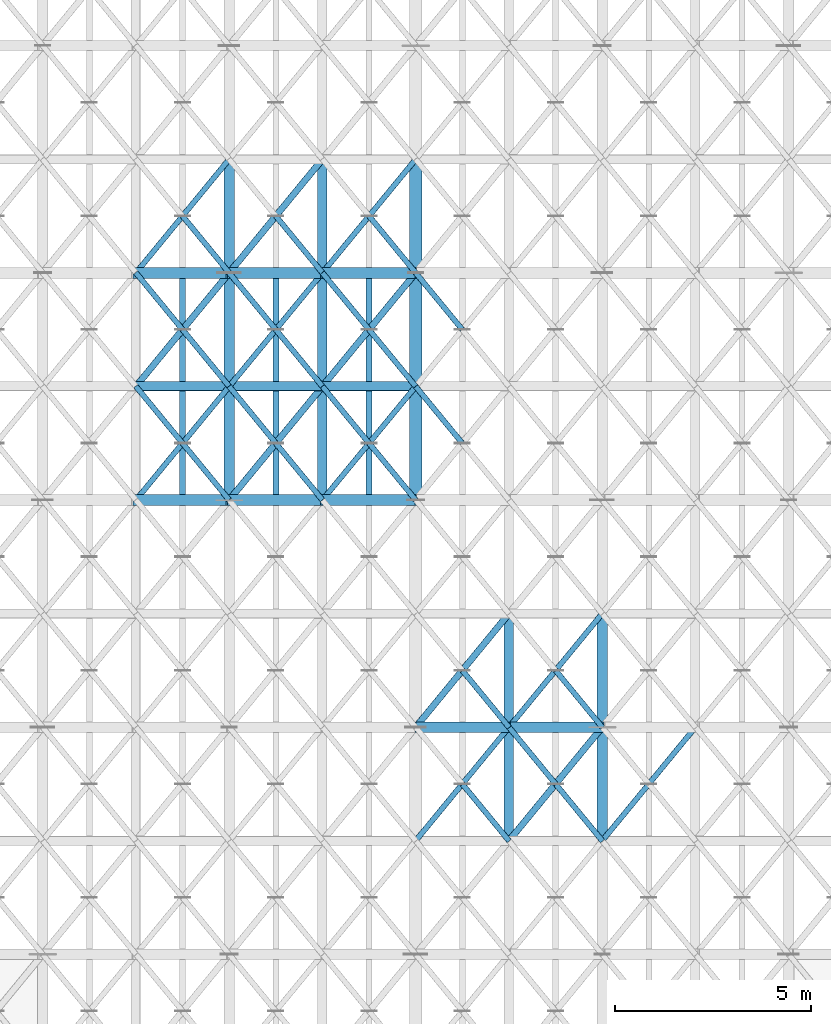
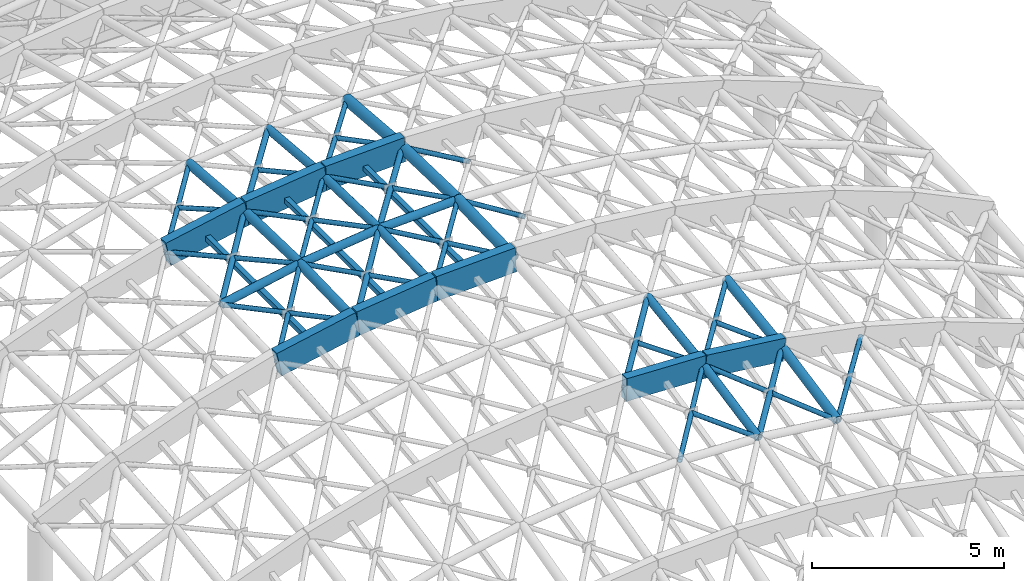
# One storey, part 40 of 146: 55 members, 8 beams.
"""IFC4 building model written with IfcOpenShell, lengths in metres."""

from ifc_helpers import new_model, si_unit, direction, frame, origin, origin_2d, place, context, subcontext, project, spatial, rectangle, hollow_rectangle, hollow_circle, extrude, material, material_profile, profile_set, type_object, element, save


model = new_model("IFC4")

# Units and contexts
model_context = context("Model", 3, precision=1e-05, world=origin(), true_north=direction((0.0, 1.0)))
body_context = subcontext(model_context, "Body", "Model", "MODEL_VIEW")
ifc_project = project(units=[si_unit("LENGTHUNIT", "METRE"), si_unit("AREAUNIT", "SQUARE_METRE"), si_unit("VOLUMEUNIT", "CUBIC_METRE"), si_unit("PLANEANGLEUNIT", "RADIAN"), si_unit("MASSUNIT", "GRAM", prefix="KILO")], contexts=[model_context])

# Site, building, storey
site_placement = place(None, origin())
site = spatial("IfcSite", under=ifc_project, at=site_placement, CompositionType="ELEMENT")
building_placement = place(site_placement, origin())
building = spatial("IfcBuilding", under=site, at=building_placement, Name="Valcora Specialist Clinic", CompositionType="ELEMENT")
storey_placement = place(building_placement, frame((0.0, 0.0, 9.52001953125)))
storey = spatial("IfcBuildingStorey", under=building, at=storey_placement, Name="L02", CompositionType="ELEMENT", Elevation=9.52001953125)

# Beams
ifc_material_1 = material(Name="Glulam Conifer Class 24F", Category="wood")
ifc_material_profile_1 = material_profile(ifc_material_1, rectangle(XDim=0.260009765625, YDim=0.719970703125, at=origin_2d()), Name="GL-ARC-260X720")
ifc_profile_set_1 = profile_set([ifc_material_profile_1], Name="Glulam Conifer Class 24F")
beam_type_1 = type_object("IfcBeamType", Name="TY-AR-GL720", PredefinedType="JOIST", material=ifc_profile_set_1)
beam_1_placement = place(storey_placement, frame((15.0, 50.321044921875, 7.670654296875), z_axis=(0.999229898969, 0.0, -0.039237851707), x_axis=(0.0, 1.0, 0.0)))
element("IfcBeam", 1, at=beam_1_placement, inside=storey, type_object=beam_type_1, Name="Gridshell glulam arch chord BM-GSA-031", PredefinedType="JOIST", context=body_context, shape_type="SweptSolid", body=[
    extrude(rectangle(XDim=0.260009765625, YDim=0.719970703125, at=origin_2d()), origin(), (0.0, 0.0, 1.0), 2.376708984375),
])
beam_2_placement = place(storey_placement, frame((17.375, 50.321044921875, 7.577392578125), z_axis=(0.993061123194, 0.0, -0.117599343536), x_axis=(0.0, 1.0, 0.0)))
element("IfcBeam", 2, at=beam_2_placement, inside=storey, type_object=beam_type_1, Name="Gridshell glulam arch chord BM-GSA-032", PredefinedType="JOIST", context=body_context, shape_type="SweptSolid", body=[
    extrude(rectangle(XDim=0.260009765625, YDim=0.719970703125, at=origin_2d()), origin(), (0.0, 0.0, 1.0), 2.3916015625),
])
ifc_material_profile_2 = material_profile(ifc_material_1, rectangle(XDim=0.280029296875, YDim=0.780029296875, at=origin_2d()), Name="GL-ARC-280X780")
ifc_profile_set_2 = profile_set([ifc_material_profile_2], Name="Glulam Conifer Class 24F")
beam_type_2 = type_object("IfcBeamType", Name="TY-AR-GL780", PredefinedType="JOIST", material=ifc_profile_set_2)
beam_3_placement = place(storey_placement, frame((7.875, 56.10693359375, 7.47021484375), z_axis=(0.980592304853, 0.0, 0.19605798036), x_axis=(0.0, 1.0, 0.0)))
element("IfcBeam", 3, at=beam_3_placement, inside=storey, type_object=beam_type_2, Name="Gridshell glulam arch chord BM-GSA-040", PredefinedType="JOIST", context=body_context, shape_type="SweptSolid", body=[
    extrude(rectangle(XDim=0.280029296875, YDim=0.780029296875, at=origin_2d()), origin(), (0.0, 0.0, 1.0), 2.422119140625),
])
beam_4_placement = place(storey_placement, frame((10.25, 56.10693359375, 7.945068359375), z_axis=(0.993061123194, 0.0, 0.117599343536), x_axis=(0.0, 1.0, 0.0)))
element("IfcBeam", 4, at=beam_4_placement, inside=storey, type_object=beam_type_2, Name="Gridshell glulam arch chord BM-GSA-041", PredefinedType="JOIST", context=body_context, shape_type="SweptSolid", body=[
    extrude(rectangle(XDim=0.280029296875, YDim=0.780029296875, at=origin_2d()), origin(), (0.0, 0.0, 1.0), 2.3916015625),
])
beam_5_placement = place(storey_placement, frame((12.625, 56.10693359375, 8.226318359375), z_axis=(0.999229898969, 0.0, 0.039237851707), x_axis=(0.0, 1.0, 0.0)))
element("IfcBeam", 5, at=beam_5_placement, inside=storey, type_object=beam_type_2, Name="Gridshell glulam arch chord BM-GSA-042", PredefinedType="JOIST", context=body_context, shape_type="SweptSolid", body=[
    extrude(rectangle(XDim=0.280029296875, YDim=0.780029296875, at=origin_2d()), origin(), (0.0, 0.0, 1.0), 2.376708984375),
])
beam_6_placement = place(storey_placement, frame((7.875, 61.89306640625, 7.47021484375), z_axis=(0.980592304853, 0.0, 0.19605798036), x_axis=(0.0, 1.0, 0.0)))
element("IfcBeam", 6, at=beam_6_placement, inside=storey, type_object=beam_type_2, Name="Gridshell glulam arch chord BM-GSA-052", PredefinedType="JOIST", context=body_context, shape_type="SweptSolid", body=[
    extrude(rectangle(XDim=0.280029296875, YDim=0.780029296875, at=origin_2d()), origin(), (0.0, 0.0, 1.0), 2.422119140625),
])
beam_7_placement = place(storey_placement, frame((10.25, 61.89306640625, 7.945068359375), z_axis=(0.993061123194, 0.0, 0.117599343536), x_axis=(0.0, 1.0, 0.0)))
element("IfcBeam", 7, at=beam_7_placement, inside=storey, type_object=beam_type_2, Name="Gridshell glulam arch chord BM-GSA-053", PredefinedType="JOIST", context=body_context, shape_type="SweptSolid", body=[
    extrude(rectangle(XDim=0.280029296875, YDim=0.780029296875, at=origin_2d()), origin(), (0.0, 0.0, 1.0), 2.3916015625),
])
beam_8_placement = place(storey_placement, frame((12.625, 61.89306640625, 8.226318359375), z_axis=(0.999229898969, 0.0, 0.039237851707), x_axis=(0.0, 1.0, 0.0)))
element("IfcBeam", 8, at=beam_8_placement, inside=storey, type_object=beam_type_2, Name="Gridshell glulam arch chord BM-GSA-054", PredefinedType="JOIST", context=body_context, shape_type="SweptSolid", body=[
    extrude(rectangle(XDim=0.280029296875, YDim=0.780029296875, at=origin_2d()), origin(), (0.0, 0.0, 1.0), 2.376708984375),
])

# Members
ifc_material_2 = material(Name="Steel ASTM A500 Grade C", Category="steel")
ifc_material_profile_3 = material_profile(ifc_material_2, hollow_circle(Radius=0.1220703125, WallThickness=0.010009765625, at=origin_2d()), Name="ST-CHS-244X10")
ifc_profile_set_3 = profile_set([ifc_material_profile_3], Name="Steel ASTM A500 Grade C")
member_type_1 = type_object("IfcMemberType", Name="TY-MB-GSC244", PredefinedType="CHORD", material=ifc_profile_set_3)
for number, where, z_axis, x_axis, name in (
    (9, (12.625, 56.10693359375, 8.226318359375), (0.0, 0.999612467017, 0.027837309208), (-1.0, 0.0, 0.0), "Gridshell longitudinal chord MB-L02-0077"),
    (10, (12.625, 59.0, 8.306884765625), (0.0, 0.999612467017, -0.027837309208), (-1.0, 0.0, 0.0), "Gridshell longitudinal chord MB-L02-0078"),
):
    element("IfcMember", number, at=place(storey_placement, frame(where, z_axis=z_axis, x_axis=x_axis)), inside=storey, type_object=member_type_1, Name=name, PredefinedType="CHORD", context=body_context, shape_type="SweptSolid", body=[
        extrude(hollow_circle(Radius=0.1220703125, WallThickness=0.010009765625, at=origin_2d()), origin(), (0.0, 0.0, 1.0), 2.894287109375),
    ])
member_1_placement = place(storey_placement, frame((12.625, 61.89306640625, 8.226318359375), z_axis=(0.0, 0.99650678891, -0.083511793517), x_axis=(-1.0, 0.0, 0.0)))
element("IfcMember", 11, at=member_1_placement, inside=storey, type_object=member_type_1, Name="Gridshell longitudinal chord MB-L02-0079", PredefinedType="CHORD", context=body_context, shape_type="SweptSolid", body=[
    extrude(hollow_circle(Radius=0.1220703125, WallThickness=0.010009765625, at=origin_2d()), origin(), (0.0, 0.0, 1.0), 2.903076171875),
])
member_2_placement = place(storey_placement, frame((17.375, 47.428955078125, 7.003173828125), z_axis=(0.0, 0.980853597768, 0.194746552587), x_axis=(-1.0, 0.0, 0.0)))
element("IfcMember", 12, at=member_2_placement, inside=storey, type_object=member_type_1, Name="Gridshell longitudinal chord MB-L02-0102", PredefinedType="CHORD", context=body_context, shape_type="SweptSolid", body=[
    extrude(hollow_circle(Radius=0.1220703125, WallThickness=0.010009765625, at=origin_2d()), origin(), (0.0, 0.0, 1.0), 2.948486328125),
])
member_3_placement = place(storey_placement, frame((17.375, 50.321044921875, 7.577392578125), z_axis=(0.0, 0.990272777431, 0.139139592778), x_axis=(-1.0, 0.0, 0.0)))
element("IfcMember", 13, at=member_3_placement, inside=storey, type_object=member_type_1, Name="Gridshell longitudinal chord MB-L02-0103", PredefinedType="CHORD", context=body_context, shape_type="SweptSolid", body=[
    extrude(hollow_circle(Radius=0.1220703125, WallThickness=0.010009765625, at=origin_2d()), origin(), (0.0, 0.0, 1.0), 2.92138671875),
])
member_4_placement = place(storey_placement, frame((7.875, 59.0, 7.55078125), z_axis=(0.980592304853, 0.0, 0.19605798036), x_axis=(0.0, 1.0, 0.0)))
element("IfcMember", 14, at=member_4_placement, inside=storey, type_object=member_type_1, Name="Gridshell secondary transverse chord MB-L02-0306", PredefinedType="CHORD", context=body_context, shape_type="SweptSolid", body=[
    extrude(hollow_circle(Radius=0.1220703125, WallThickness=0.010009765625, at=origin_2d()), origin(), (0.0, 0.0, 1.0), 2.422119140625),
])
member_5_placement = place(storey_placement, frame((10.25, 59.0, 8.025634765625), z_axis=(0.993061123194, 0.0, 0.117599343536), x_axis=(0.0, 1.0, 0.0)))
element("IfcMember", 15, at=member_5_placement, inside=storey, type_object=member_type_1, Name="Gridshell secondary transverse chord MB-L02-0307", PredefinedType="CHORD", context=body_context, shape_type="SweptSolid", body=[
    extrude(hollow_circle(Radius=0.1220703125, WallThickness=0.010009765625, at=origin_2d()), origin(), (0.0, 0.0, 1.0), 2.3916015625),
])
member_6_placement = place(storey_placement, frame((12.625, 59.0, 8.306884765625), z_axis=(0.999233921008, 0.0, 0.039135292342), x_axis=(0.0, 1.0, 0.0)))
element("IfcMember", 16, at=member_6_placement, inside=storey, type_object=member_type_1, Name="Gridshell secondary transverse chord MB-L02-0308", PredefinedType="CHORD", context=body_context, shape_type="SweptSolid", body=[
    extrude(hollow_circle(Radius=0.1220703125, WallThickness=0.010009765625, at=origin_2d()), origin(), (0.0, 0.0, 1.0), 2.376708984375),
])
ifc_material_profile_4 = material_profile(ifc_material_2, hollow_circle(Radius=0.136474609375, WallThickness=0.011962890625, at=origin_2d()), Name="ST-CHS-273X12")
ifc_profile_set_4 = profile_set([ifc_material_profile_4], Name="Steel ASTM A500 Grade C")
member_type_2 = type_object("IfcMemberType", Name="TY-MB-GSC273", PredefinedType="CHORD", material=ifc_profile_set_4)
for number, where, z_axis, x_axis, name in (
    (17, (10.25, 56.10693359375, 7.945068359375), (0.0, 0.999612467017, 0.027837309208), (-1.0, 0.0, 0.0), "Gridshell longitudinal chord MB-L02-0063"),
    (18, (10.25, 59.0, 8.025634765625), (0.0, 0.999612467017, -0.027837309208), (-1.0, 0.0, 0.0), "Gridshell longitudinal chord MB-L02-0064"),
):
    element("IfcMember", number, at=place(storey_placement, frame(where, z_axis=z_axis, x_axis=x_axis)), inside=storey, type_object=member_type_2, Name=name, PredefinedType="CHORD", context=body_context, shape_type="SweptSolid", body=[
        extrude(hollow_circle(Radius=0.136474609375, WallThickness=0.011962890625, at=origin_2d()), origin(), (0.0, 0.0, 1.0), 2.894287109375),
    ])
member_7_placement = place(storey_placement, frame((10.25, 61.89306640625, 7.945068359375), z_axis=(0.0, 0.99650678891, -0.083511793517), x_axis=(-1.0, 0.0, 0.0)))
element("IfcMember", 19, at=member_7_placement, inside=storey, type_object=member_type_2, Name="Gridshell longitudinal chord MB-L02-0065", PredefinedType="CHORD", context=body_context, shape_type="SweptSolid", body=[
    extrude(hollow_circle(Radius=0.136474609375, WallThickness=0.011962890625, at=origin_2d()), origin(), (0.0, 0.0, 1.0), 2.903076171875),
])
member_8_placement = place(storey_placement, frame((19.75, 47.428955078125, 6.7216796875), z_axis=(0.0, 0.980837778433, 0.194826210759), x_axis=(-1.0, 0.0, 0.0)))
element("IfcMember", 20, at=member_8_placement, inside=storey, type_object=member_type_2, Name="Gridshell longitudinal chord MB-L02-0116", PredefinedType="CHORD", context=body_context, shape_type="SweptSolid", body=[
    extrude(hollow_circle(Radius=0.136474609375, WallThickness=0.011962890625, at=origin_2d()), origin(), (0.0, 0.0, 1.0), 2.948486328125),
])
member_9_placement = place(storey_placement, frame((19.75, 50.321044921875, 7.296142578125), z_axis=(0.0, 0.990272777431, 0.139139592778), x_axis=(-1.0, 0.0, 0.0)))
element("IfcMember", 21, at=member_9_placement, inside=storey, type_object=member_type_2, Name="Gridshell longitudinal chord MB-L02-0117", PredefinedType="CHORD", context=body_context, shape_type="SweptSolid", body=[
    extrude(hollow_circle(Radius=0.136474609375, WallThickness=0.011962890625, at=origin_2d()), origin(), (0.0, 0.0, 1.0), 2.92138671875),
])
ifc_material_profile_5 = material_profile(ifc_material_2, hollow_circle(Radius=0.162109375, WallThickness=0.011962890625, at=origin_2d()), Name="ST-CHS-324X12")
ifc_profile_set_5 = profile_set([ifc_material_profile_5], Name="Steel ASTM A500 Grade C")
member_type_3 = type_object("IfcMemberType", Name="TY-MB-GSC324", PredefinedType="CHORD", material=ifc_profile_set_5)
for number, where, z_axis, x_axis, name in (
    (22, (15.0, 56.10693359375, 8.319580078125), (0.0, 0.999614810788, 0.027753018797), (-1.0, 0.0, 0.0), "Gridshell longitudinal chord MB-L02-0091"),
    (23, (15.0, 59.0, 8.39990234375), (0.0, 0.999614810788, -0.027753018797), (-1.0, 0.0, 0.0), "Gridshell longitudinal chord MB-L02-0092"),
):
    element("IfcMember", number, at=place(storey_placement, frame(where, z_axis=z_axis, x_axis=x_axis)), inside=storey, type_object=member_type_3, Name=name, PredefinedType="CHORD", context=body_context, shape_type="SweptSolid", body=[
        extrude(hollow_circle(Radius=0.162109375, WallThickness=0.011962890625, at=origin_2d()), origin(), (0.0, 0.0, 1.0), 2.894287109375),
    ])
member_10_placement = place(storey_placement, frame((15.0, 61.89306640625, 8.319580078125), z_axis=(0.0, 0.99650678891, -0.083511793517), x_axis=(-1.0, 0.0, 0.0)))
element("IfcMember", 24, at=member_10_placement, inside=storey, type_object=member_type_3, Name="Gridshell longitudinal chord MB-L02-0093", PredefinedType="CHORD", context=body_context, shape_type="SweptSolid", body=[
    extrude(hollow_circle(Radius=0.162109375, WallThickness=0.011962890625, at=origin_2d()), origin(), (0.0, 0.0, 1.0), 2.903076171875),
])
ifc_material_profile_6 = material_profile(ifc_material_2, hollow_circle(Radius=0.070068359375, WallThickness=0.006103515625, at=origin_2d()), Name="ST-CHS-140X6")
ifc_profile_set_6 = profile_set([ifc_material_profile_6], Name="Steel ASTM A500 Grade C")
member_type_4 = type_object("IfcMemberType", Name="TY-MB-GSD140", PredefinedType="BRACE", material=ifc_profile_set_6)
member_11_placement = place(storey_placement, frame((7.875, 56.10693359375, 7.47021484375), z_axis=(0.627636273152, 0.764544596716, 0.146779658863), x_axis=(-0.772915884105, 0.634508499626, 0.0)))
element("IfcMember", 25, at=member_11_placement, inside=storey, type_object=member_type_4, Name="Gridshell primary diagrid MB-L02-0447", PredefinedType="BRACE", context=body_context, shape_type="SweptSolid", body=[
    extrude(hollow_circle(Radius=0.070068359375, WallThickness=0.006103515625, at=origin_2d()), origin(), (0.0, 0.0, 1.0), 3.783935546875),
])
member_12_placement = place(storey_placement, frame((10.25, 56.10693359375, 7.945068359375), z_axis=(-0.631012933725, 0.768657819145, -0.104822872214), x_axis=(-0.772915884105, -0.634508499626, 0.0)))
element("IfcMember", 26, at=member_12_placement, inside=storey, type_object=member_type_4, Name="Gridshell split counter diagrid A MB-L02-0448", PredefinedType="BRACE", context=body_context, shape_type="SweptSolid", body=[
    extrude(hollow_circle(Radius=0.070068359375, WallThickness=0.006103515625, at=origin_2d()), origin(), (0.0, 0.0, 1.0), 1.8818359375),
])
member_13_placement = place(storey_placement, frame((10.25, 59.0, 8.025634765625), z_axis=(-0.62763032821, 0.764537354984, -0.146842786493), x_axis=(-0.772915884105, -0.634508499626, 0.0)))
element("IfcMember", 27, at=member_13_placement, inside=storey, type_object=member_type_4, Name="Gridshell split counter diagrid A MB-L02-0450", PredefinedType="BRACE", context=body_context, shape_type="SweptSolid", body=[
    extrude(hollow_circle(Radius=0.070068359375, WallThickness=0.006103515625, at=origin_2d()), origin(), (0.0, 0.0, 1.0), 1.89208984375),
])
member_14_placement = place(storey_placement, frame((7.875, 61.89306640625, 7.47021484375), z_axis=(0.633320597503, 0.771403758204, 0.061977920315), x_axis=(-0.772889622479, 0.634540488436, 0.0)))
element("IfcMember", 28, at=member_14_placement, inside=storey, type_object=member_type_4, Name="Gridshell primary diagrid MB-L02-0451", PredefinedType="BRACE", context=body_context, shape_type="SweptSolid", body=[
    extrude(hollow_circle(Radius=0.070068359375, WallThickness=0.006103515625, at=origin_2d()), origin(), (0.0, 0.0, 1.0), 3.75),
])
member_15_placement = place(storey_placement, frame((10.25, 61.89306640625, 7.945068359375), z_axis=(-0.623169512171, 0.759103486763, -0.188206417224), x_axis=(-0.772915884105, -0.634508499626, 0.0)))
element("IfcMember", 29, at=member_15_placement, inside=storey, type_object=member_type_4, Name="Gridshell split counter diagrid A MB-L02-0452", PredefinedType="BRACE", context=body_context, shape_type="SweptSolid", body=[
    extrude(hollow_circle(Radius=0.070068359375, WallThickness=0.006103515625, at=origin_2d()), origin(), (0.0, 0.0, 1.0), 1.905517578125),
])
member_16_placement = place(storey_placement, frame((12.625, 56.10693359375, 8.226318359375), z_axis=(-0.633598494634, 0.77180737679, -0.053538030694), x_axis=(-0.772915884105, -0.634508499626, 0.0)))
element("IfcMember", 30, at=member_16_placement, inside=storey, type_object=member_type_4, Name="Gridshell split counter diagrid A MB-L02-0476", PredefinedType="BRACE", context=body_context, shape_type="SweptSolid", body=[
    extrude(hollow_circle(Radius=0.070068359375, WallThickness=0.006103515625, at=origin_2d()), origin(), (0.0, 0.0, 1.0), 1.874267578125),
])
member_17_placement = place(storey_placement, frame((10.25, 59.0, 8.025634765625), z_axis=(0.633598494634, 0.77180737679, 0.053538030694), x_axis=(-0.772915884105, 0.634508499626, 0.0)))
element("IfcMember", 31, at=member_17_placement, inside=storey, type_object=member_type_4, Name="Gridshell primary diagrid MB-L02-0477", PredefinedType="BRACE", context=body_context, shape_type="SweptSolid", body=[
    extrude(hollow_circle(Radius=0.070068359375, WallThickness=0.006103515625, at=origin_2d()), origin(), (0.0, 0.0, 1.0), 3.74853515625),
])
member_18_placement = place(storey_placement, frame((12.625, 59.0, 8.306884765625), z_axis=(-0.631564748423, 0.769330002962, -0.096214942143), x_axis=(-0.772915884105, -0.634508499626, 0.0)))
element("IfcMember", 32, at=member_18_placement, inside=storey, type_object=member_type_4, Name="Gridshell split counter diagrid A MB-L02-0478", PredefinedType="BRACE", context=body_context, shape_type="SweptSolid", body=[
    extrude(hollow_circle(Radius=0.070068359375, WallThickness=0.006103515625, at=origin_2d()), origin(), (0.0, 0.0, 1.0), 1.88037109375),
])
member_19_placement = place(storey_placement, frame((12.625, 61.89306640625, 8.226318359375), z_axis=(-0.628393852353, 0.76546742911, -0.138494697722), x_axis=(-0.772915884105, -0.634508499626, 0.0)))
element("IfcMember", 33, at=member_19_placement, inside=storey, type_object=member_type_4, Name="Gridshell split counter diagrid A MB-L02-0480", PredefinedType="BRACE", context=body_context, shape_type="SweptSolid", body=[
    extrude(hollow_circle(Radius=0.070068359375, WallThickness=0.006103515625, at=origin_2d()), origin(), (0.0, 0.0, 1.0), 1.8896484375),
])
member_20_placement = place(storey_placement, frame((12.625, 56.10693359375, 8.226318359375), z_axis=(0.633827299693, 0.772086091834, 0.04632516551), x_axis=(-0.772915884105, 0.634508499626, 0.0)))
element("IfcMember", 34, at=member_20_placement, inside=storey, type_object=member_type_4, Name="Gridshell primary diagrid MB-L02-0503", PredefinedType="BRACE", context=body_context, shape_type="SweptSolid", body=[
    extrude(hollow_circle(Radius=0.070068359375, WallThickness=0.006103515625, at=origin_2d()), origin(), (0.0, 0.0, 1.0), 3.7470703125),
])
member_21_placement = place(storey_placement, frame((15.0, 56.10693359375, 8.319580078125), z_axis=(-0.634504850086, 0.772911438479, -0.003391678886), x_axis=(-0.772915884105, -0.634508499626, 0.0)))
element("IfcMember", 35, at=member_21_placement, inside=storey, type_object=member_type_4, Name="Gridshell split counter diagrid A MB-L02-0504", PredefinedType="BRACE", context=body_context, shape_type="SweptSolid", body=[
    extrude(hollow_circle(Radius=0.070068359375, WallThickness=0.006103515625, at=origin_2d()), origin(), (0.0, 0.0, 1.0), 1.87158203125),
])
member_22_placement = place(storey_placement, frame((15.0, 59.0, 8.39990234375), z_axis=(-0.633825385267, 0.772083759808, -0.046390180336), x_axis=(-0.772915884105, -0.634508499626, 0.0)))
element("IfcMember", 36, at=member_22_placement, inside=storey, type_object=member_type_4, Name="Gridshell split counter diagrid A MB-L02-0506", PredefinedType="BRACE", context=body_context, shape_type="SweptSolid", body=[
    extrude(hollow_circle(Radius=0.070068359375, WallThickness=0.006103515625, at=origin_2d()), origin(), (0.0, 0.0, 1.0), 1.87353515625),
])
member_23_placement = place(storey_placement, frame((12.625, 61.89306640625, 8.226318359375), z_axis=(0.63403714278, 0.772276532154, -0.03982285097), x_axis=(-0.772889622479, 0.634540488436, 0.0)))
element("IfcMember", 37, at=member_23_placement, inside=storey, type_object=member_type_4, Name="Gridshell primary diagrid MB-L02-0507", PredefinedType="BRACE", context=body_context, shape_type="SweptSolid", body=[
    extrude(hollow_circle(Radius=0.070068359375, WallThickness=0.006103515625, at=origin_2d()), origin(), (0.0, 0.0, 1.0), 3.745849609375),
])
member_24_placement = place(storey_placement, frame((15.0, 61.89306640625, 8.319580078125), z_axis=(-0.631968357357, 0.769821652414, -0.089390261074), x_axis=(-0.772915884105, -0.634508499626, 0.0)))
element("IfcMember", 38, at=member_24_placement, inside=storey, type_object=member_type_4, Name="Gridshell split counter diagrid A MB-L02-0508", PredefinedType="BRACE", context=body_context, shape_type="SweptSolid", body=[
    extrude(hollow_circle(Radius=0.070068359375, WallThickness=0.006103515625, at=origin_2d()), origin(), (0.0, 0.0, 1.0), 1.879150390625),
])
member_25_placement = place(storey_placement, frame((15.0, 47.428955078125, 7.09619140625), z_axis=(0.629454124846, 0.766500160663, 0.127534342113), x_axis=(-0.772810813765, 0.634636467694, 0.0)))
element("IfcMember", 39, at=member_25_placement, inside=storey, type_object=member_type_4, Name="Gridshell primary diagrid MB-L02-0525", PredefinedType="BRACE", context=body_context, shape_type="SweptSolid", body=[
    extrude(hollow_circle(Radius=0.070068359375, WallThickness=0.006103515625, at=origin_2d()), origin(), (0.0, 0.0, 1.0), 3.773193359375),
])
member_26_placement = place(storey_placement, frame((17.375, 47.428955078125, 7.003173828125), z_axis=(-0.624776374395, 0.760803960844, 0.175589906209), x_axis=(-0.772810813765, -0.634636467694, 0.0)))
element("IfcMember", 40, at=member_26_placement, inside=storey, type_object=member_type_4, Name="Gridshell split counter diagrid A MB-L02-0526", PredefinedType="BRACE", context=body_context, shape_type="SweptSolid", body=[
    extrude(hollow_circle(Radius=0.070068359375, WallThickness=0.006103515625, at=origin_2d()), origin(), (0.0, 0.0, 1.0), 1.900634765625),
])
member_27_placement = place(storey_placement, frame((17.375, 50.321044921875, 7.577392578125), z_axis=(-0.628922125519, 0.766110936204, 0.132404658004), x_axis=(-0.772915884105, -0.634508499626, 0.0)))
element("IfcMember", 41, at=member_27_placement, inside=storey, type_object=member_type_4, Name="Gridshell split counter diagrid A MB-L02-0528", PredefinedType="BRACE", context=body_context, shape_type="SweptSolid", body=[
    extrude(hollow_circle(Radius=0.070068359375, WallThickness=0.006103515625, at=origin_2d()), origin(), (0.0, 0.0, 1.0), 1.88818359375),
])
member_28_placement = place(storey_placement, frame((19.75, 47.428955078125, 6.7216796875), z_axis=(-0.618660133103, 0.753356079023, 0.22296694353), x_axis=(-0.772810813765, -0.634636467694, 0.0)))
element("IfcMember", 42, at=member_28_placement, inside=storey, type_object=member_type_4, Name="Gridshell split counter diagrid A MB-L02-0554", PredefinedType="BRACE", context=body_context, shape_type="SweptSolid", body=[
    extrude(hollow_circle(Radius=0.070068359375, WallThickness=0.006103515625, at=origin_2d()), origin(), (0.0, 0.0, 1.0), 1.91943359375),
])
member_29_placement = place(storey_placement, frame((17.375, 50.321044921875, 7.577392578125), z_axis=(0.634153600073, 0.772483569167, 0.033441693754), x_axis=(-0.772915884105, 0.634508499626, 0.0)))
element("IfcMember", 43, at=member_29_placement, inside=storey, type_object=member_type_4, Name="Gridshell primary diagrid MB-L02-0555", PredefinedType="BRACE", context=body_context, shape_type="SweptSolid", body=[
    extrude(hollow_circle(Radius=0.070068359375, WallThickness=0.006103515625, at=origin_2d()), origin(), (0.0, 0.0, 1.0), 3.7451171875),
])
member_30_placement = place(storey_placement, frame((19.75, 50.321044921875, 7.296142578125), z_axis=(-0.624069031916, 0.76019922165, 0.180651561871), x_axis=(-0.772915884105, -0.634508499626, 0.0)))
element("IfcMember", 44, at=member_30_placement, inside=storey, type_object=member_type_4, Name="Gridshell split counter diagrid A MB-L02-0556", PredefinedType="BRACE", context=body_context, shape_type="SweptSolid", body=[
    extrude(hollow_circle(Radius=0.070068359375, WallThickness=0.006103515625, at=origin_2d()), origin(), (0.0, 0.0, 1.0), 1.90283203125),
])
member_31_placement = place(storey_placement, frame((19.75, 47.428955078125, 6.7216796875), z_axis=(0.634411775705, 0.772537201378, 0.026607730724), x_axis=(-0.772810813765, 0.634636467694, 0.0)))
element("IfcMember", 45, at=member_31_placement, inside=storey, type_object=member_type_4, Name="Gridshell primary diagrid MB-L02-0581", PredefinedType="BRACE", context=body_context, shape_type="SweptSolid", body=[
    extrude(hollow_circle(Radius=0.070068359375, WallThickness=0.006103515625, at=origin_2d()), origin(), (0.0, 0.0, 1.0), 3.74365234375),
])
member_32_placement = place(storey_placement, frame((9.0625, 57.553466796875, 7.747802734375), z_axis=(-0.631021509612, 0.768668265717, -0.104694563786), x_axis=(-0.772915884105, -0.634508499626, 0.0)))
element("IfcMember", 46, at=member_32_placement, inside=storey, type_object=member_type_4, Name="Gridshell split counter diagrid B 49", PredefinedType="BRACE", context=body_context, shape_type="SweptSolid", body=[
    extrude(hollow_circle(Radius=0.070068359375, WallThickness=0.006103515625, at=origin_2d()), origin(), (0.0, 0.0, 1.0), 1.8818359375),
])
member_33_placement = place(storey_placement, frame((9.0625, 60.446533203125, 7.747802734375), z_axis=(-0.627642215651, 0.764551835471, -0.14671652944), x_axis=(-0.772915884105, -0.634508499626, 0.0)))
element("IfcMember", 47, at=member_33_placement, inside=storey, type_object=member_type_4, Name="Gridshell split counter diagrid B 50", PredefinedType="BRACE", context=body_context, shape_type="SweptSolid", body=[
    extrude(hollow_circle(Radius=0.070068359375, WallThickness=0.006103515625, at=origin_2d()), origin(), (0.0, 0.0, 1.0), 1.89208984375),
])
member_34_placement = place(storey_placement, frame((11.4375, 57.553466796875, 8.1259765625), z_axis=(-0.633598494634, 0.77180737679, -0.053538030694), x_axis=(-0.772915884105, -0.634508499626, 0.0)))
element("IfcMember", 48, at=member_34_placement, inside=storey, type_object=member_type_4, Name="Gridshell split counter diagrid B 63", PredefinedType="BRACE", context=body_context, shape_type="SweptSolid", body=[
    extrude(hollow_circle(Radius=0.070068359375, WallThickness=0.006103515625, at=origin_2d()), origin(), (0.0, 0.0, 1.0), 1.874267578125),
])
member_35_placement = place(storey_placement, frame((11.4375, 60.446533203125, 8.1259765625), z_axis=(-0.631564748423, 0.769330002962, -0.096214942143), x_axis=(-0.772915884105, -0.634508499626, 0.0)))
element("IfcMember", 49, at=member_35_placement, inside=storey, type_object=member_type_4, Name="Gridshell split counter diagrid B 64", PredefinedType="BRACE", context=body_context, shape_type="SweptSolid", body=[
    extrude(hollow_circle(Radius=0.070068359375, WallThickness=0.006103515625, at=origin_2d()), origin(), (0.0, 0.0, 1.0), 1.88037109375),
])
member_36_placement = place(storey_placement, frame((13.8125, 57.553466796875, 8.313232421875), z_axis=(-0.634504850086, 0.772911438479, -0.003391678886), x_axis=(-0.772915884105, -0.634508499626, 0.0)))
element("IfcMember", 50, at=member_36_placement, inside=storey, type_object=member_type_4, Name="Gridshell split counter diagrid B 77", PredefinedType="BRACE", context=body_context, shape_type="SweptSolid", body=[
    extrude(hollow_circle(Radius=0.070068359375, WallThickness=0.006103515625, at=origin_2d()), origin(), (0.0, 0.0, 1.0), 1.87158203125),
])
for number, where, z_axis, x_axis, name in (
    (51, (13.8125, 60.446533203125, 8.31298828125), (-0.633829211446, 0.772088420604, -0.046260150095), (-0.772915884105, -0.634508499626, 0.0), "Gridshell split counter diagrid B 78"),
    (52, (16.1875, 57.553466796875, 8.31298828125), (-0.633825385267, 0.772083759808, 0.046390180336), (-0.772915884105, -0.634508499626, 0.0), "Gridshell split counter diagrid B 91"),
):
    element("IfcMember", number, at=place(storey_placement, frame(where, z_axis=z_axis, x_axis=x_axis)), inside=storey, type_object=member_type_4, Name=name, PredefinedType="BRACE", context=body_context, shape_type="SweptSolid", body=[
        extrude(hollow_circle(Radius=0.070068359375, WallThickness=0.006103515625, at=origin_2d()), origin(), (0.0, 0.0, 1.0), 1.87353515625),
    ])
member_37_placement = place(storey_placement, frame((16.1875, 60.446533203125, 8.313232421875), z_axis=(-0.634504850086, 0.772911438479, 0.003391678886), x_axis=(-0.772915884105, -0.634508499626, 0.0)))
element("IfcMember", 53, at=member_37_placement, inside=storey, type_object=member_type_4, Name="Gridshell split counter diagrid B 92", PredefinedType="BRACE", context=body_context, shape_type="SweptSolid", body=[
    extrude(hollow_circle(Radius=0.070068359375, WallThickness=0.006103515625, at=origin_2d()), origin(), (0.0, 0.0, 1.0), 1.87158203125),
])
member_38_placement = place(storey_placement, frame((18.5625, 48.875, 7.149658203125), z_axis=(-0.618677673756, 0.753377438663, 0.222846069988), x_axis=(-0.772810813765, -0.634636467694, 0.0)))
element("IfcMember", 54, at=member_38_placement, inside=storey, type_object=member_type_4, Name="Gridshell split counter diagrid B 102", PredefinedType="BRACE", context=body_context, shape_type="SweptSolid", body=[
    extrude(hollow_circle(Radius=0.070068359375, WallThickness=0.006103515625, at=origin_2d()), origin(), (0.0, 0.0, 1.0), 1.91943359375),
])
ifc_material_profile_7 = material_profile(ifc_material_2, hollow_circle(Radius=0.083984375, WallThickness=0.008056640625, at=origin_2d()), Name="ST-CHS-168X8")
ifc_profile_set_7 = profile_set([ifc_material_profile_7], Name="Steel ASTM A500 Grade C")
member_type_5 = type_object("IfcMemberType", Name="TY-MB-GSD168", PredefinedType="BRACE", material=ifc_profile_set_7)
member_39_placement = place(storey_placement, frame((7.875, 59.0, 7.55078125), z_axis=(0.631017222952, 0.768663043995, 0.104758718654), x_axis=(-0.772915884105, 0.634508499626, 0.0)))
element("IfcMember", 55, at=member_39_placement, inside=storey, type_object=member_type_5, Name="Gridshell primary diagrid MB-L02-0449", PredefinedType="BRACE", context=body_context, shape_type="SweptSolid", body=[
    extrude(hollow_circle(Radius=0.083984375, WallThickness=0.008056640625, at=origin_2d()), origin(), (0.0, 0.0, 1.0), 3.763671875),
])
member_40_placement = place(storey_placement, frame((10.25, 56.10693359375, 7.945068359375), z_axis=(0.631564748423, 0.769330002962, 0.096214942143), x_axis=(-0.772915884105, 0.634508499626, 0.0)))
element("IfcMember", 56, at=member_40_placement, inside=storey, type_object=member_type_5, Name="Gridshell primary diagrid MB-L02-0475", PredefinedType="BRACE", context=body_context, shape_type="SweptSolid", body=[
    extrude(hollow_circle(Radius=0.083984375, WallThickness=0.008056640625, at=origin_2d()), origin(), (0.0, 0.0, 1.0), 3.760498046875),
])
for number, where, z_axis, x_axis, name in (
    (57, (10.25, 61.89306640625, 7.945068359375), (0.634506364422, 0.772848058392, 0.010370735192), (-0.772889622479, 0.634540488436, 0.0), "Gridshell primary diagrid MB-L02-0479"),
    (58, (12.625, 59.0, 8.306884765625), (0.634504850086, 0.772911438479, 0.003391678886), (-0.772915884105, 0.634508499626, 0.0), "Gridshell primary diagrid MB-L02-0505"),
):
    element("IfcMember", number, at=place(storey_placement, frame(where, z_axis=z_axis, x_axis=x_axis)), inside=storey, type_object=member_type_5, Name=name, PredefinedType="BRACE", context=body_context, shape_type="SweptSolid", body=[
        extrude(hollow_circle(Radius=0.083984375, WallThickness=0.008056640625, at=origin_2d()), origin(), (0.0, 0.0, 1.0), 3.7431640625),
    ])
member_41_placement = place(storey_placement, frame((15.0, 50.321044921875, 7.670654296875), z_axis=(0.632298384957, 0.770223669998, 0.08339214925), x_axis=(-0.772915884105, 0.634508499626, 0.0)))
element("IfcMember", 59, at=member_41_placement, inside=storey, type_object=member_type_5, Name="Gridshell primary diagrid MB-L02-0527", PredefinedType="BRACE", context=body_context, shape_type="SweptSolid", body=[
    extrude(hollow_circle(Radius=0.083984375, WallThickness=0.008056640625, at=origin_2d()), origin(), (0.0, 0.0, 1.0), 3.756103515625),
])
member_42_placement = place(storey_placement, frame((17.375, 47.428955078125, 7.003173828125), z_axis=(0.632700626183, 0.770453496892, 0.078046952243), x_axis=(-0.772810813765, 0.634636467694, 0.0)))
element("IfcMember", 60, at=member_42_placement, inside=storey, type_object=member_type_5, Name="Gridshell primary diagrid MB-L02-0553", PredefinedType="BRACE", context=body_context, shape_type="SweptSolid", body=[
    extrude(hollow_circle(Radius=0.083984375, WallThickness=0.008056640625, at=origin_2d()), origin(), (0.0, 0.0, 1.0), 3.753662109375),
])
ifc_material_profile_8 = material_profile(ifc_material_2, hollow_rectangle(XDim=0.14990234375, YDim=0.14990234375, WallThickness=0.006103515625, at=origin_2d()), Name="ST-RHS-150X150X6")
ifc_profile_set_8 = profile_set([ifc_material_profile_8], Name="Steel ASTM A500 Grade C")
member_type_6 = type_object("IfcMemberType", Name="TY-MB-PR150", PredefinedType="PURLIN", material=ifc_profile_set_8)
for number, where, z_axis, x_axis, name in (
    (61, (9.06201171875, 56.10693359375, 7.587646484375), (0.0, 1.0, 0.0), (-1.0, 0.0, 0.0), "Gridshell secondary purlin MB-L02-0207"),
    (62, (11.43798828125, 56.10693359375, 7.965576171875), (0.0, 1.0, 0.0), (-1.0, 0.0, 0.0), "Gridshell secondary purlin MB-L02-0214"),
    (63, (13.81201171875, 56.10693359375, 8.15283203125), (0.0, 1.0, 0.0), (-1.0, 0.0, 0.0), "Gridshell secondary purlin MB-L02-0221"),
):
    element("IfcMember", number, at=place(storey_placement, frame(where, z_axis=z_axis, x_axis=x_axis)), inside=storey, type_object=member_type_6, Name=name, PredefinedType="PURLIN", context=body_context, shape_type="SweptSolid", body=[
        extrude(hollow_rectangle(XDim=0.14990234375, YDim=0.14990234375, WallThickness=0.006103515625, at=origin_2d()), origin(), (0.0, 0.0, 1.0), 5.7861328125),
    ])

save(model, "model.ifc")
